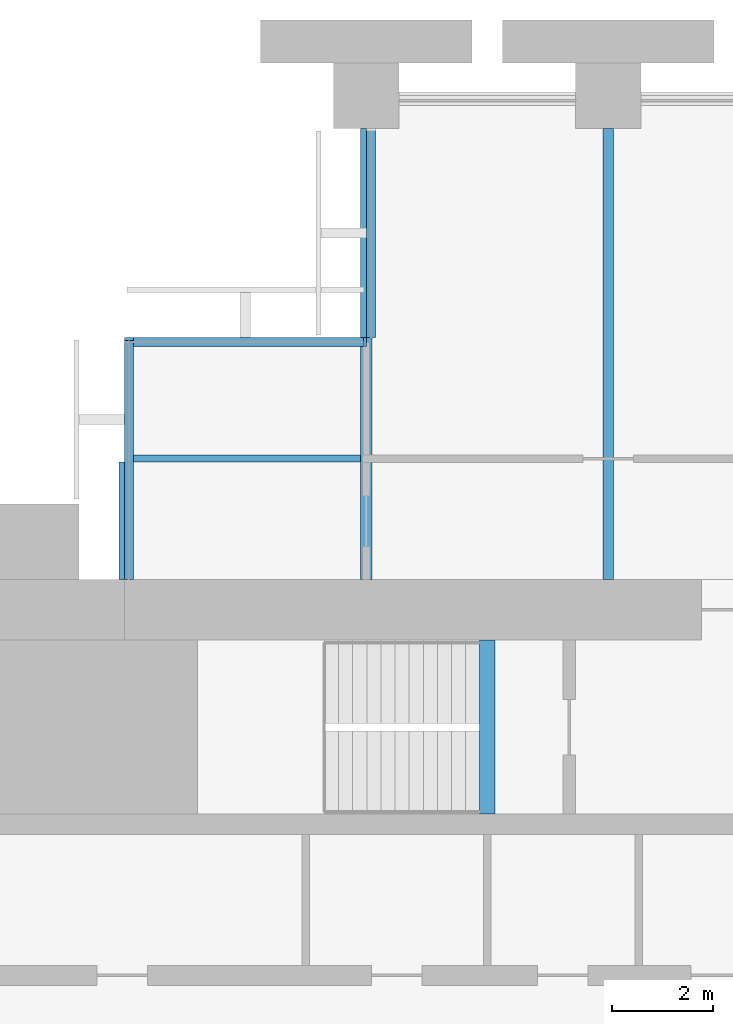
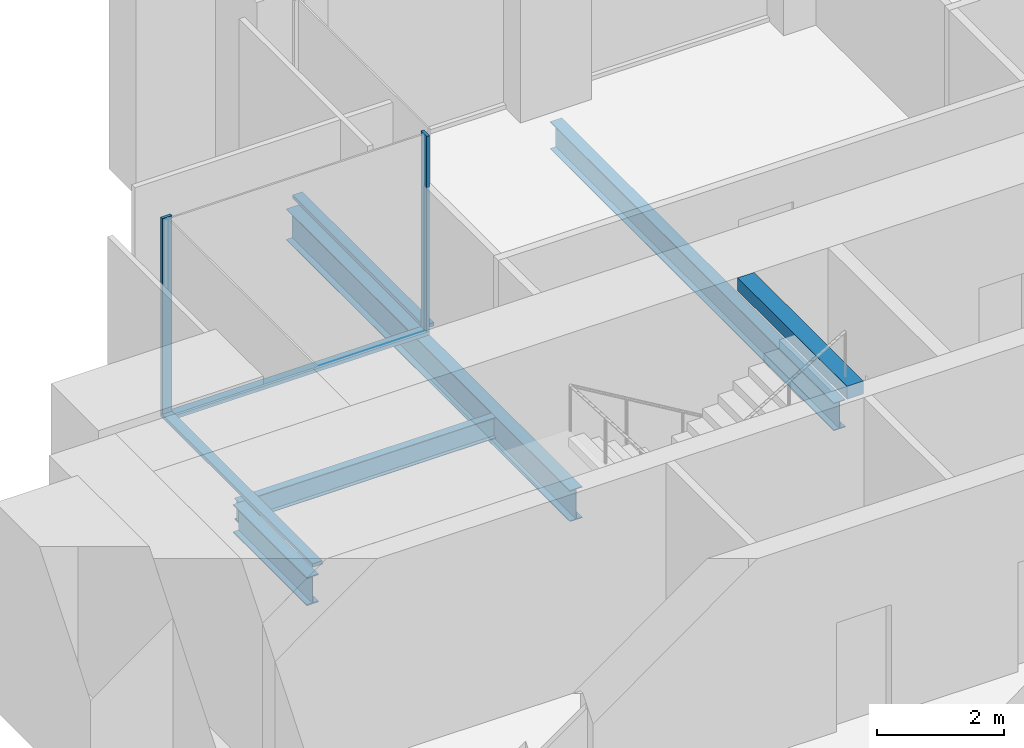
# One storey, part 5 of 14: 5 beams, 5 members, 3 elements without a shape of their own.
"""IFC4 building model written with IfcOpenShell, lengths in metres."""

from ifc_helpers import new_model, si_unit, direction, frame, origin, origin_2d, place, context, subcontext, project, spatial, rectangle, i_section, extrude, material, material_profile, profile_set, type_object, element, aggregate, save


model = new_model("IFC4")

# Units and contexts
model_context = context("Model", 3, precision=1e-05, world=origin(), true_north=direction((0.0, 1.0)))
body_context = subcontext(model_context, "Body", "Model", "MODEL_VIEW")
ifc_project = project(units=[si_unit("LENGTHUNIT", "METRE"), si_unit("AREAUNIT", "SQUARE_METRE"), si_unit("VOLUMEUNIT", "CUBIC_METRE"), si_unit("PLANEANGLEUNIT", "RADIAN"), si_unit("MASSUNIT", "GRAM", prefix="KILO")], contexts=[model_context])

# Site, building, storey
site_placement = place(None, origin())
site = spatial("IfcSite", under=ifc_project, at=site_placement, CompositionType="ELEMENT")
building_placement = place(site_placement, origin())
building = spatial("IfcBuilding", under=site, at=building_placement, Name="Baori Bourse Tower", CompositionType="ELEMENT")
storey_placement = place(building_placement, frame((0.0, 0.0, 55.0)))
storey = spatial("IfcBuildingStorey", under=building, at=storey_placement, Name="L11", CompositionType="ELEMENT", Elevation=55.0)

# Curtain wall, member
ifc_material_1 = material(Name="Pale anodised aluminium", Category="aluminium")
curtain_wall_type = type_object("IfcCurtainWallType", Name="CW2 Curtain wall", PredefinedType="NOTDEFINED", material=ifc_material_1)
curtain_wall_1_placement = place(storey_placement, origin())
curtain_wall_1 = element("IfcCurtainWall", 1, at=curtain_wall_1_placement, inside=storey, type_object=curtain_wall_type, Name="Curtain wall CW2 L11 6", PredefinedType="NOTDEFINED")
ifc_material_2 = material(Name="Pale anodised aluminium", Category="aluminium")
ifc_material_profile_1 = material_profile(ifc_material_2, rectangle(XDim=0.179931640625, YDim=0.054931640625, at=origin_2d()), Name="Mullion 55x180")
ifc_profile_set_1 = profile_set([ifc_material_profile_1], Name="Pale anodised aluminium")
member_type_1 = type_object("IfcMemberType", Name="CW2 Curtain wall mullion", PredefinedType="MULLION", material=ifc_profile_set_1)
member_1_placement = place(storey_placement, frame((9.572509765625, 43.110107421875, 0.070068359375), z_axis=(0.0, 0.0, 1.0), x_axis=(0.0, -1.0, 0.0)))
member_1 = element("IfcMember", 2, at=member_1_placement, type_object=member_type_1, Name="Curtain wall CW2 mullion", PredefinedType="MULLION", context=body_context, shape_type="SweptSolid", body=[
    extrude(rectangle(XDim=0.179931640625, YDim=0.054931640625, at=origin_2d()), origin(), (0.0, 0.0, 1.0), 3.77001953125),
])

curtain_wall_2_placement = place(storey_placement, origin())
curtain_wall_2 = element("IfcCurtainWall", 3, at=curtain_wall_2_placement, inside=storey, type_object=curtain_wall_type, Name="Curtain wall CW2 L11 7", PredefinedType="NOTDEFINED")
member_2_placement = place(storey_placement, frame((4.889892578125, 43.172607421875, 0.070068359375), z_axis=(0.0, 0.0, 1.0), x_axis=(1.0, 0.0, 0.0)))
member_2 = element("IfcMember", 4, at=member_2_placement, type_object=member_type_1, Name="Curtain wall CW2 mullion", PredefinedType="MULLION", context=body_context, shape_type="SweptSolid", body=[
    extrude(rectangle(XDim=0.179931640625, YDim=0.054931640625, at=origin_2d()), origin(), (0.0, 0.0, 1.0), 3.77001953125),
])

curtain_wall_3_placement = place(storey_placement, origin())
curtain_wall_3 = element("IfcCurtainWall", 5, at=curtain_wall_3_placement, inside=storey, type_object=curtain_wall_type, Name="Curtain wall CW2 L11 5", PredefinedType="NOTDEFINED")
ifc_material_3 = material(Name="Pale anodised aluminium", Category="aluminium")
ifc_material_profile_2 = material_profile(ifc_material_3, rectangle(XDim=0.179931640625, YDim=0.070068359375, at=origin_2d()), Name="Transom 70x180")
ifc_profile_set_2 = profile_set([ifc_material_profile_2], Name="Pale anodised aluminium")
member_type_2 = type_object("IfcMemberType", Name="CW2 Curtain wall transom", PredefinedType="USERDEFINED", material=ifc_profile_set_2)
member_3_placement = place(storey_placement, frame((9.68994140625, 47.35009765625, 0.034912109375), z_axis=(0.0, -1.0, 0.0), x_axis=(1.0, 0.0, 0.0)))
member_3 = element("IfcMember", 6, at=member_3_placement, type_object=member_type_2, Name="Curtain wall CW2 sill rail", ObjectType="TRANSOM", PredefinedType="USERDEFINED", context=body_context, shape_type="SweptSolid", body=[
    extrude(rectangle(XDim=0.179931640625, YDim=0.070068359375, at=origin_2d()), origin(), (0.0, 0.0, 1.0), 4.150146484375),
])
aggregate(curtain_wall_3, [member_3])

# Member
member_4_placement = place(storey_placement, frame((9.60009765625, 43.110107421875, 0.034912109375), z_axis=(-1.0, 0.0, 0.0), x_axis=(0.0, -1.0, 0.0)))
member_4 = element("IfcMember", 7, at=member_4_placement, type_object=member_type_2, Name="Curtain wall CW2 sill rail", ObjectType="TRANSOM", PredefinedType="USERDEFINED", context=body_context, shape_type="SweptSolid", body=[
    extrude(rectangle(XDim=0.179931640625, YDim=0.070068359375, at=origin_2d()), origin(), (0.0, 0.0, 1.0), 4.800048828125),
])

aggregate(curtain_wall_1, [member_4, member_1])

member_5_placement = place(storey_placement, frame((4.889892578125, 43.199951171875, 0.034912109375), z_axis=(0.0, -1.0, 0.0), x_axis=(1.0, 0.0, 0.0)))
member_5 = element("IfcMember", 8, at=member_5_placement, type_object=member_type_2, Name="Curtain wall CW2 sill rail", ObjectType="TRANSOM", PredefinedType="USERDEFINED", context=body_context, shape_type="SweptSolid", body=[
    extrude(rectangle(XDim=0.179931640625, YDim=0.070068359375, at=origin_2d()), origin(), (0.0, 0.0, 1.0), 4.800048828125),
])

aggregate(curtain_wall_2, [member_5, member_2])

# Beams
ifc_material_4 = material(Name="Steel A992 Gr 50", Category="steel")
ifc_material_profile_3 = material_profile(ifc_material_4, i_section(OverallWidth=0.21240234375, OverallDepth=0.54345703125, WebThickness=0.01318359375, FlangeThickness=0.021240234375, at=origin_2d()), Name="W21x83")
ifc_profile_set_3 = profile_set([ifc_material_profile_3], Name="Steel A992 Gr 50")
beam_type_1 = type_object("IfcBeamType", Name="Core bracket W21x83", PredefinedType="BEAM", material=ifc_profile_set_3)
beam_1_placement = place(storey_placement, frame((4.800048828125, 38.39990234375, -0.431884765625), z_axis=(0.0, 1.0, 0.0), x_axis=(-1.0, 0.0, 0.0)))
element("IfcBeam", 9, at=beam_1_placement, inside=storey, type_object=beam_type_1, Name="Core bracket L11", PredefinedType="BEAM", context=body_context, shape_type="SweptSolid", body=[
    extrude(i_section(OverallWidth=0.21240234375, OverallDepth=0.54345703125, WebThickness=0.01318359375, FlangeThickness=0.021240234375, at=origin_2d()), origin(), (0.0, 0.0, 1.0), 2.329833984375),
])
ifc_material_5 = material(Name="Steel A992 Gr 50", Category="steel")
ifc_material_profile_4 = material_profile(ifc_material_5, i_section(OverallWidth=0.209228515625, OverallDepth=0.533447265625, WebThickness=0.01025390625, FlangeThickness=0.015625, at=origin_2d()), Name="W21x62")
ifc_profile_set_4 = profile_set([ifc_material_profile_4], Name="Steel A992 Gr 50")
beam_type_2 = type_object("IfcBeamType", Name="Floor beam W21x62", PredefinedType="BEAM", material=ifc_profile_set_4)
beam_2_placement = place(storey_placement, frame((14.39990234375, 38.39990234375, -0.4267578125), z_axis=(0.0, 1.0, 0.0), x_axis=(-1.0, 0.0, 0.0)))
element("IfcBeam", 10, at=beam_2_placement, inside=storey, type_object=beam_type_2, Name="Floor beam L11", PredefinedType="BEAM", context=body_context, shape_type="SweptSolid", body=[
    extrude(i_section(OverallWidth=0.209228515625, OverallDepth=0.533447265625, WebThickness=0.01025390625, FlangeThickness=0.015625, at=origin_2d()), origin(), (0.0, 0.0, 1.0), 8.9501953125),
])
ifc_material_6 = material(Name="Steel A992 Gr 50", Category="steel")
ifc_material_profile_5 = material_profile(ifc_material_6, i_section(OverallWidth=0.227783203125, OverallDepth=0.60205078125, WebThickness=0.010498046875, FlangeThickness=0.014892578125, at=origin_2d()), Name="W24x68")
ifc_profile_set_5 = profile_set([ifc_material_profile_5], Name="Steel A992 Gr 50")
beam_type_3 = type_object("IfcBeamType", Name="Floor beam W24x68", PredefinedType="BEAM", material=ifc_profile_set_5)
beam_3_placement = place(storey_placement, frame((9.60009765625, 38.39990234375, -0.4609375), z_axis=(0.0, 1.0, 0.0), x_axis=(-1.0, 0.0, 0.0)))
element("IfcBeam", 11, at=beam_3_placement, inside=storey, type_object=beam_type_3, Name="Floor beam L11", PredefinedType="BEAM", context=body_context, shape_type="SweptSolid", body=[
    extrude(i_section(OverallWidth=0.227783203125, OverallDepth=0.60205078125, WebThickness=0.010498046875, FlangeThickness=0.014892578125, at=origin_2d()), origin(), (0.0, 0.0, 1.0), 8.9501953125),
])
ifc_material_7 = material(Name="Concrete f'c 50 MPa", Category="concrete")
ifc_material_profile_6 = material_profile(ifc_material_7, rectangle(XDim=0.300048828125, YDim=0.25, at=origin_2d()), Name="RC 300x250")
ifc_profile_set_6 = profile_set([ifc_material_profile_6], Name="Concrete f'c 50 MPa")
beam_type_4 = type_object("IfcBeamType", Name="Stair nib beam RC 300x250", PredefinedType="BEAM", material=ifc_profile_set_6)
beam_4_placement = place(storey_placement, frame((12.0, 33.75, 3.715087890625), z_axis=(0.0, 1.0, 0.0), x_axis=(-1.0, 0.0, 0.0)))
element("IfcBeam", 12, at=beam_4_placement, inside=storey, type_object=beam_type_4, Name="Stair WB nib beam L12", PredefinedType="BEAM", context=body_context, shape_type="SweptSolid", body=[
    extrude(rectangle(XDim=0.300048828125, YDim=0.25, at=origin_2d()), origin(), (0.0, 0.0, 1.0), 3.449951171875),
])
ifc_material_8 = material(Name="Steel A992 Gr 50", Category="steel")
ifc_material_profile_7 = material_profile(ifc_material_8, i_section(OverallWidth=0.140380859375, OverallDepth=0.40380859375, WebThickness=0.007080078125, FlangeThickness=0.01123046875, at=origin_2d()), Name="W16x31")
ifc_profile_set_7 = profile_set([ifc_material_profile_7], Name="Steel A992 Gr 50")
beam_type_5 = type_object("IfcBeamType", Name="Trimmer beam W16x31", PredefinedType="BEAM", material=ifc_profile_set_7)
beam_5_placement = place(storey_placement, frame((4.800048828125, 40.800048828125, -0.36181640625), z_axis=(1.0, 0.0, 0.0), x_axis=(0.0, 1.0, 0.0)))
element("IfcBeam", 13, at=beam_5_placement, inside=storey, type_object=beam_type_5, Name="Trimmer beam L11", PredefinedType="BEAM", context=body_context, shape_type="SweptSolid", body=[
    extrude(i_section(OverallWidth=0.140380859375, OverallDepth=0.40380859375, WebThickness=0.007080078125, FlangeThickness=0.01123046875, at=origin_2d()), origin(), (0.0, 0.0, 1.0), 4.68603515625),
])

save(model, "model.ifc")
